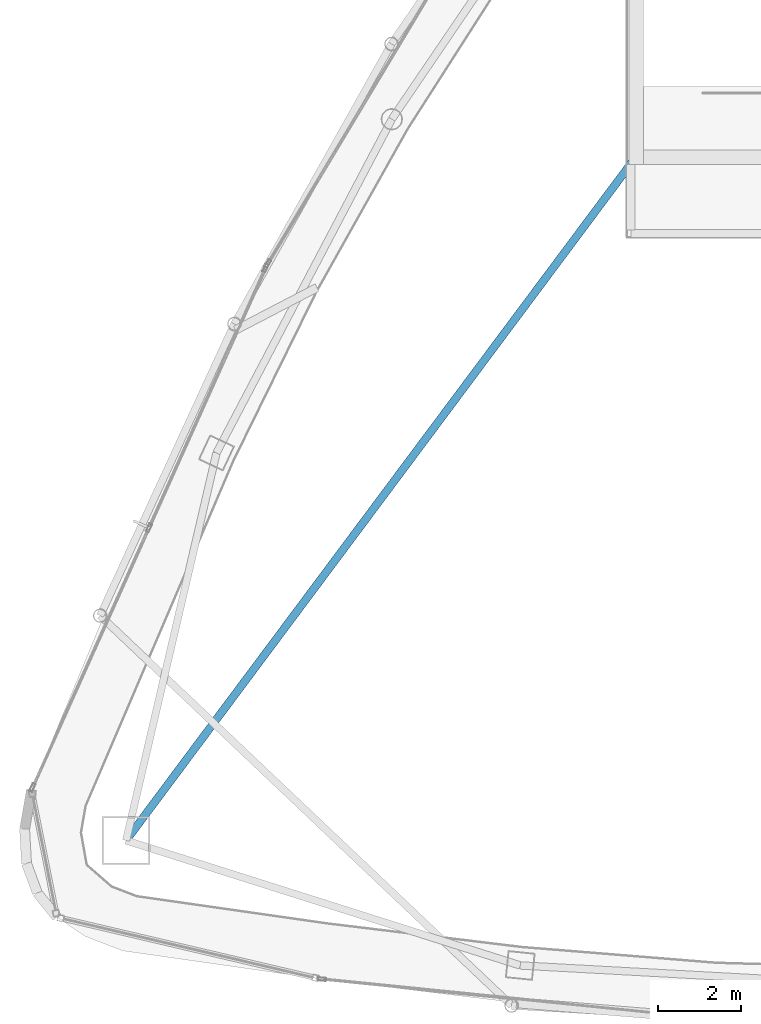
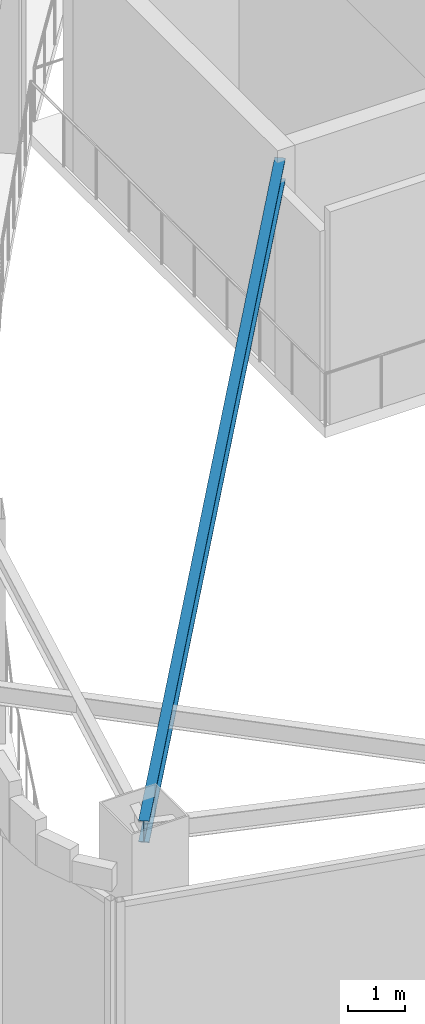
# One storey, part 5 of 18: 1 beam.
"""IFC4 building model written with IfcOpenShell, lengths in metres."""

from ifc_helpers import new_model, si_unit, direction, frame, origin, origin_2d, place, context, subcontext, project, spatial, i_section, extrude, material, material_profile, profile_set, type_object, element, save


model = new_model("IFC4")

# Units and contexts
model_context = context("Model", 3, precision=1e-05, world=origin(), true_north=direction((0.0, 1.0)))
body_context = subcontext(model_context, "Body", "Model", "MODEL_VIEW")
ifc_project = project(units=[si_unit("LENGTHUNIT", "METRE"), si_unit("AREAUNIT", "SQUARE_METRE"), si_unit("VOLUMEUNIT", "CUBIC_METRE"), si_unit("PLANEANGLEUNIT", "RADIAN"), si_unit("MASSUNIT", "GRAM", prefix="KILO")], contexts=[model_context])

# Site, building, storey
site_placement = place(None, origin())
site = spatial("IfcSite", under=ifc_project, at=site_placement, CompositionType="ELEMENT")
building_placement = place(site_placement, origin())
building = spatial("IfcBuilding", under=site, at=building_placement, Name="Orvanel Arch Residences", CompositionType="ELEMENT")
storey_placement = place(building_placement, frame((0.0, 0.0, 310.10009765625)))
storey = spatial("IfcBuildingStorey", under=building, at=storey_placement, Name="L86", CompositionType="ELEMENT", Elevation=310.10009765625)

# Beam
ifc_material = material(Name="Structural steel AS/NZS 3679.1 Grade 300 (300 MPa)", Category="steel")
ifc_material_profile = material_profile(ifc_material, i_section(OverallWidth=0.19091796875, OverallDepth=0.4599609375, WebThickness=0.010009765625, FlangeThickness=0.01611328125, at=origin_2d()), Name="460UB82.1")
ifc_profile_set = profile_set([ifc_material_profile], Name="Structural steel AS/NZS 3679.1 Grade 300 (300 MPa)")
beam_type = type_object("IfcBeamType", Name="BG-460UB", PredefinedType="BEAM", material=ifc_profile_set)
beam_placement = place(storey_placement, frame((26.375, 26.675048828125, 4.309814453125), z_axis=(-0.597893733742, -0.801575375839, 0.0), x_axis=(0.801575375839, -0.597893733742, 0.0)))
element("IfcBeam", 1, at=beam_placement, inside=storey, type_object=beam_type, Name="L86 South-West Radial Girder", PredefinedType="BEAM", context=body_context, shape_type="SweptSolid", body=[
    extrude(i_section(OverallWidth=0.19091796875, OverallDepth=0.4599609375, WebThickness=0.010009765625, FlangeThickness=0.01611328125, at=origin_2d()), origin(), (0.0, 0.0, 1.0), 20.36474609375),
])

save(model, "model.ifc")
